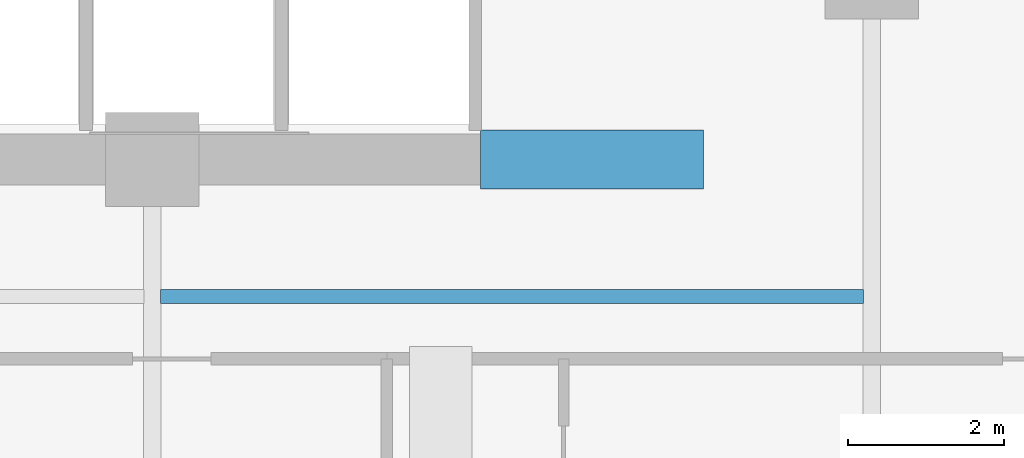
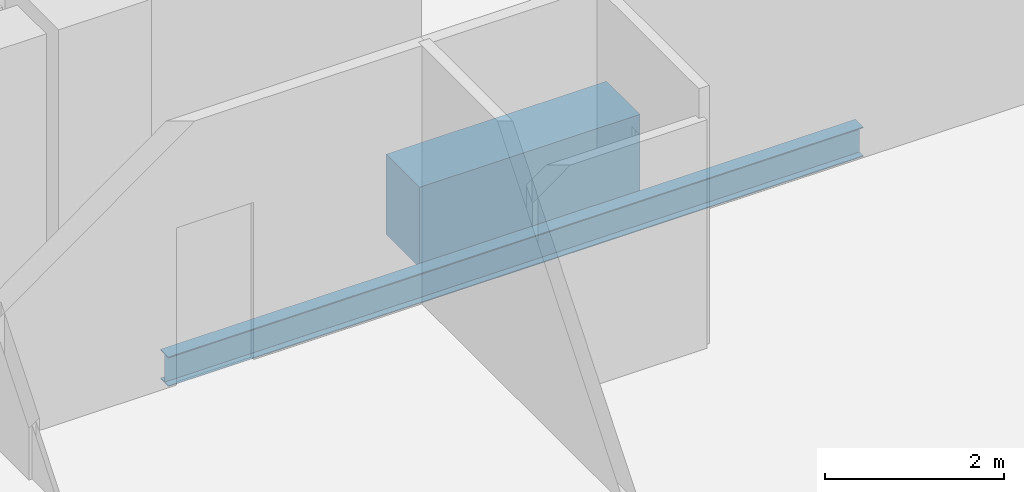
# One storey, part 13 of 33: 2 beams.
"""IFC4 building model written with IfcOpenShell, lengths in metres."""

from ifc_helpers import new_model, si_unit, direction, frame, origin, origin_2d, place, context, subcontext, project, spatial, rectangle, i_section, extrude, material, material_profile, profile_set, type_object, element, save


model = new_model("IFC4")

# Units and contexts
model_context = context("Model", 3, precision=1e-05, world=origin(), true_north=direction((0.0, 1.0)))
body_context = subcontext(model_context, "Body", "Model", "MODEL_VIEW")
ifc_project = project(units=[si_unit("LENGTHUNIT", "METRE"), si_unit("AREAUNIT", "SQUARE_METRE"), si_unit("VOLUMEUNIT", "CUBIC_METRE"), si_unit("PLANEANGLEUNIT", "RADIAN"), si_unit("MASSUNIT", "GRAM", prefix="KILO")], contexts=[model_context])

# Site, building, storey
site_placement = place(None, origin())
site = spatial("IfcSite", under=ifc_project, at=site_placement, CompositionType="ELEMENT")
building_placement = place(site_placement, origin())
building = spatial("IfcBuilding", under=site, at=building_placement, Name="Zuhayl Quay Hotel", CompositionType="ELEMENT")
storey_placement = place(building_placement, frame((0.0, 0.0, 199.89990234375)))
storey = spatial("IfcBuildingStorey", under=building, at=storey_placement, Name="L50", CompositionType="ELEMENT", Elevation=199.89990234375)

# Beams
ifc_material_1 = material(Name="Concrete C60/75", Category="concrete")
ifc_material_profile_1 = material_profile(ifc_material_1, rectangle(XDim=0.75, YDim=1.10009765625, at=origin_2d()), Name="RC750X1100")
ifc_profile_set_1 = profile_set([ifc_material_profile_1], Name="Concrete C60/75")
beam_type_1 = type_object("IfcBeamType", Name="BM_CB2_RC750", PredefinedType="T_BEAM", material=ifc_profile_set_1)
beam_1_placement = place(storey_placement, frame((8.800048828125, 2.14990234375, -0.77001953125), z_axis=(1.0, 0.0, 0.0), x_axis=(0.0, 1.0, 0.0)))
element("IfcBeam", 1, at=beam_1_placement, inside=storey, type_object=beam_type_1, Name="L50 Core Coupling Beam SE", PredefinedType="T_BEAM", context=body_context, shape_type="SweptSolid", body=[
    extrude(rectangle(XDim=0.75, YDim=1.10009765625, at=origin_2d()), origin(), (0.0, 0.0, 1.0), 2.849853515625),
])
ifc_material_2 = material(Name="Steel ASTM A992 Grade 50", Category="steel")
ifc_material_profile_2 = material_profile(ifc_material_2, i_section(OverallWidth=0.177978515625, OverallDepth=0.406005859375, WebThickness=0.0078125, FlangeThickness=0.0126953125, at=origin_2d()), Name="W16X40")
ifc_profile_set_2 = profile_set([ifc_material_profile_2], Name="Steel ASTM A992 Grade 50")
beam_type_2 = type_object("IfcBeamType", Name="BM_J2B_W16X40", PredefinedType="JOIST", material=ifc_profile_set_2)
beam_2_placement = place(storey_placement, frame((4.7060546875, 0.39990234375, -0.4228515625), z_axis=(1.0, 0.0, 0.0), x_axis=(0.0, 1.0, 0.0)))
element("IfcBeam", 2, at=beam_2_placement, inside=storey, type_object=beam_type_2, Name="L50 Floor Beam FJ_L50_8_3", PredefinedType="JOIST", context=body_context, shape_type="SweptSolid", body=[
    extrude(i_section(OverallWidth=0.177978515625, OverallDepth=0.406005859375, WebThickness=0.0078125, FlangeThickness=0.0126953125, at=origin_2d()), origin(), (0.0, 0.0, 1.0), 8.988037109375),
])

save(model, "model.ifc")
